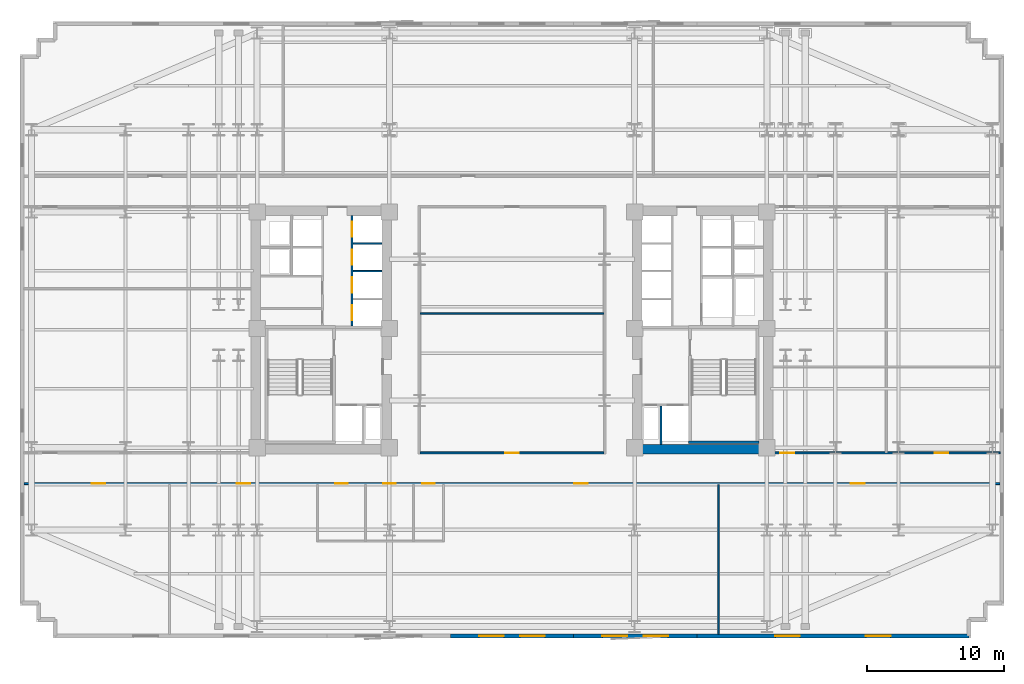
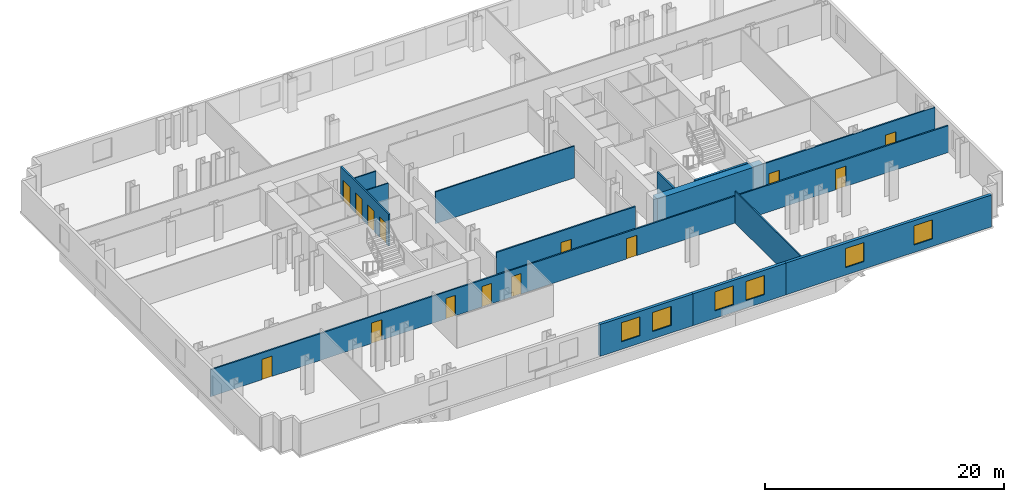
# One storey, part 5 of 10: 14 doors, 14 walls, 6 windows, 20 openings.
"""IFC4 building model written with IfcOpenShell, lengths in metres."""

from ifc_helpers import new_model, si_unit, direction, frame, frame_2d, origin, place, context, subcontext, project, spatial, rectangle, extrude, material, layer, layer_set, type_object, element, fill, save


model = new_model("IFC4")

# Units and contexts
model_context = context("Model", 3, precision=1e-05, world=origin(), true_north=direction((0.0, 1.0)))
body_context = subcontext(model_context, "Body", "Model", "MODEL_VIEW")
ifc_project = project(units=[si_unit("LENGTHUNIT", "METRE"), si_unit("AREAUNIT", "SQUARE_METRE"), si_unit("VOLUMEUNIT", "CUBIC_METRE"), si_unit("PLANEANGLEUNIT", "RADIAN"), si_unit("MASSUNIT", "GRAM", prefix="KILO")], contexts=[model_context])

# Site, building, storey
site_placement = place(None, origin())
site = spatial("IfcSite", under=ifc_project, at=site_placement, CompositionType="ELEMENT")
building_placement = place(site_placement, origin())
building = spatial("IfcBuilding", under=site, at=building_placement, Name="Velakula Bourse", CompositionType="ELEMENT")
storey_placement = place(building_placement, frame((0.0, 0.0, 31.199951171875)))
storey = spatial("IfcBuildingStorey", under=building, at=storey_placement, Name="L07", CompositionType="ELEMENT", Elevation=31.199951171875)

# Walls
ifc_material_1 = material(Name="Concrete M50 (fck 50 MPa)", Category="concrete")
ifc_layer_1 = layer(ifc_material_1, 0.2099609375, Name="Concrete M50 (fck 50 MPa)", Category="concrete")
ifc_layer_set_1 = layer_set([ifc_layer_1], Name="Concrete M50 (fck 50 MPa)")
wall_type_1 = type_object("IfcWallType", Name="WL-CORE-210", PredefinedType="SHEAR", material=ifc_layer_set_1)
wall_1_placement = place(storey_placement, frame((12.889892578125, -8.205078125, 0.0), z_axis=(0.0, 0.0, 1.0), x_axis=(1.0, 0.0, 0.0)))
element("IfcWall", 1, at=wall_1_placement, inside=storey, type_object=wall_type_1, Name="L07 Core E Stairwell Shear Wall S", PredefinedType="SHEAR", context=body_context, shape_type="SweptSolid", body=[
    extrude(rectangle(XDim=5.14013671875, YDim=0.2099609375, at=frame_2d((2.570068359375, 0.0))), origin(), (0.0, 0.0, 1.0), 3.27001953125),
])
ifc_material_2 = material(Name="Concrete M70 (fck 70 MPa)", Category="concrete")
ifc_layer_2 = layer(ifc_material_2, 0.699951171875, Name="Concrete M70 (fck 70 MPa)", Category="concrete")
ifc_layer_set_2 = layer_set([ifc_layer_2], Name="Concrete M70 (fck 70 MPa)")
wall_type_2 = type_object("IfcWallType", Name="WL-CORE-700", PredefinedType="SHEAR", material=ifc_layer_set_2)
wall_2_placement = place(storey_placement, frame((8.800048828125, -8.699951171875, 0.0), z_axis=(0.0, 0.0, 1.0), x_axis=(1.0, 0.0, 0.0)))
element("IfcWall", 2, at=wall_2_placement, inside=storey, type_object=wall_type_2, Name="L07 Core E Shear Wall S", PredefinedType="SHEAR", context=body_context, shape_type="SweptSolid", body=[
    extrude(rectangle(XDim=10.25, YDim=0.699951171875, at=frame_2d((5.125, 0.0))), origin(), (0.0, 0.0, 1.0), 3.27001953125),
])

# Wall, openings, windows
ifc_material_3 = material(Name="Red kilned clay facing brick masonry", Category="masonry")
ifc_layer_3 = layer(ifc_material_3, 0.280029296875, Name="Red kilned clay facing brick masonry", Category="masonry")
ifc_layer_set_3 = layer_set([ifc_layer_3], Name="Red kilned clay facing brick masonry")
wall_type_3 = type_object("IfcWallType", Name="WL-EXT-BRK-280", PredefinedType="STANDARD", material=ifc_layer_set_3)
wall_3_placement = place(storey_placement, frame((4.5, -22.340087890625, 0.0), z_axis=(0.0, 0.0, 1.0), x_axis=(-1.0, 0.0, 0.0)))
wall_3 = element("IfcWall", 3, at=wall_3_placement, inside=storey, type_object=wall_type_3, Name="L07 S Brick Spandrel Wall B3", PredefinedType="STANDARD", context=body_context, shape_type="SweptSolid", body=[
    extrude(rectangle(XDim=9.0, YDim=0.280029296875, at=frame_2d((4.5, 0.0))), origin(), (0.0, 0.0, 1.0), 3.25),
])
opening_1_placement = place(wall_3_placement, frame((2.10009765625, 0.0, 0.760009765625)))
opening_1 = element("IfcOpeningElement", 4, at=opening_1_placement, cuts=wall_3, Name="Opening W-01", PredefinedType="OPENING", context=body_context, shape_type="SweptSolid", body=[
    extrude(rectangle(XDim=1.800048828125, YDim=1.949951171875, at=frame_2d((0.89990234375, 0.97509765625))), frame((0.0, 0.14990234375, 0.0), z_axis=(0.0, -1.0, 0.0), x_axis=(1.0, 0.0, 0.0)), (0.0, 0.0, 1.0), 0.300048828125),
])
opening_2_placement = place(wall_3_placement, frame((5.10009765625, 0.0, 0.760009765625)))
opening_2 = element("IfcOpeningElement", 5, at=opening_2_placement, cuts=wall_3, Name="Opening W-01", PredefinedType="OPENING", context=body_context, shape_type="SweptSolid", body=[
    extrude(rectangle(XDim=1.800048828125, YDim=1.949951171875, at=frame_2d((0.89990234375, 0.97509765625))), frame((0.0, 0.14990234375, 0.0), z_axis=(0.0, -1.0, 0.0), x_axis=(1.0, 0.0, 0.0)), (0.0, 0.0, 1.0), 0.300048828125),
])
ifc_material_4 = material(Name="Double-glazed solar-control Low-E glass", Category="glass")
window_type = type_object("IfcWindowType", Name="WIN-TWR-1800x2100", PartitioningType="SINGLE_PANEL", PredefinedType="WINDOW", material=ifc_material_4)
window_1_placement = place(opening_1_placement, origin())
window_1 = element("IfcWindow", 6, at=window_1_placement, inside=storey, type_object=window_type, Name="L07 Deep-Set Recessed Window 1", OverallHeight=1.949951171875, OverallWidth=1.800048828125, PartitioningType="SINGLE_PANEL", PredefinedType="WINDOW", context=body_context, shape_type="SweptSolid", body=[
    extrude(rectangle(XDim=1.800048828125, YDim=1.949951171875, at=frame_2d((0.89990234375, 0.97509765625))), frame((0.0, 0.030029296875, 0.0), z_axis=(0.0, -1.0, 0.0), x_axis=(1.0, 0.0, 0.0)), (0.0, 0.0, 1.0), 0.06005859375),
])
fill(opening_1, window_1)
window_2_placement = place(opening_2_placement, origin())
window_2 = element("IfcWindow", 7, at=window_2_placement, inside=storey, type_object=window_type, Name="L07 Deep-Set Recessed Window 2", OverallHeight=1.949951171875, OverallWidth=1.800048828125, PartitioningType="SINGLE_PANEL", PredefinedType="WINDOW", context=body_context, shape_type="SweptSolid", body=[
    extrude(rectangle(XDim=1.800048828125, YDim=1.949951171875, at=frame_2d((0.89990234375, 0.97509765625))), frame((0.0, 0.030029296875, 0.0), z_axis=(0.0, -1.0, 0.0), x_axis=(1.0, 0.0, 0.0)), (0.0, 0.0, 1.0), 0.06005859375),
])
fill(opening_2, window_2)

wall_4_placement = place(storey_placement, frame((13.5, -22.340087890625, 0.0), z_axis=(0.0, 0.0, 1.0), x_axis=(-1.0, 0.0, 0.0)))
wall_4 = element("IfcWall", 8, at=wall_4_placement, inside=storey, type_object=wall_type_3, Name="L07 S Brick Spandrel Wall B4", PredefinedType="STANDARD", context=body_context, shape_type="SweptSolid", body=[
    extrude(rectangle(XDim=9.0, YDim=0.280029296875, at=frame_2d((4.5, 0.0))), origin(), (0.0, 0.0, 1.0), 3.25),
])
opening_3_placement = place(wall_4_placement, frame((2.10009765625, 0.0, 0.760009765625)))
opening_3 = element("IfcOpeningElement", 9, at=opening_3_placement, cuts=wall_4, Name="Opening W-01", PredefinedType="OPENING", context=body_context, shape_type="SweptSolid", body=[
    extrude(rectangle(XDim=1.800048828125, YDim=1.949951171875, at=frame_2d((0.89990234375, 0.97509765625))), frame((0.0, 0.14990234375, 0.0), z_axis=(0.0, -1.0, 0.0), x_axis=(1.0, 0.0, 0.0)), (0.0, 0.0, 1.0), 0.300048828125),
])
opening_4_placement = place(wall_4_placement, frame((5.10009765625, 0.0, 0.760009765625)))
opening_4 = element("IfcOpeningElement", 10, at=opening_4_placement, cuts=wall_4, Name="Opening W-01", PredefinedType="OPENING", context=body_context, shape_type="SweptSolid", body=[
    extrude(rectangle(XDim=1.800048828125, YDim=1.949951171875, at=frame_2d((0.89990234375, 0.97509765625))), frame((0.0, 0.14990234375, 0.0), z_axis=(0.0, -1.0, 0.0), x_axis=(1.0, 0.0, 0.0)), (0.0, 0.0, 1.0), 0.300048828125),
])
window_3_placement = place(opening_3_placement, origin())
window_3 = element("IfcWindow", 11, at=window_3_placement, inside=storey, type_object=window_type, Name="L07 Deep-Set Recessed Window 1", OverallHeight=1.949951171875, OverallWidth=1.800048828125, PartitioningType="SINGLE_PANEL", PredefinedType="WINDOW", context=body_context, shape_type="SweptSolid", body=[
    extrude(rectangle(XDim=1.800048828125, YDim=1.949951171875, at=frame_2d((0.89990234375, 0.97509765625))), frame((0.0, 0.030029296875, 0.0), z_axis=(0.0, -1.0, 0.0), x_axis=(1.0, 0.0, 0.0)), (0.0, 0.0, 1.0), 0.06005859375),
])
fill(opening_3, window_3)
window_4_placement = place(opening_4_placement, origin())
window_4 = element("IfcWindow", 12, at=window_4_placement, inside=storey, type_object=window_type, Name="L07 Deep-Set Recessed Window 2", OverallHeight=1.949951171875, OverallWidth=1.800048828125, PartitioningType="SINGLE_PANEL", PredefinedType="WINDOW", context=body_context, shape_type="SweptSolid", body=[
    extrude(rectangle(XDim=1.800048828125, YDim=1.949951171875, at=frame_2d((0.89990234375, 0.97509765625))), frame((0.0, 0.030029296875, 0.0), z_axis=(0.0, -1.0, 0.0), x_axis=(1.0, 0.0, 0.0)), (0.0, 0.0, 1.0), 0.06005859375),
])
fill(opening_4, window_4)

wall_5_placement = place(storey_placement, frame((33.340087890625, -22.340087890625, 0.0), z_axis=(0.0, 0.0, 1.0), x_axis=(-1.0, 0.0, 0.0)))
wall_5 = element("IfcWall", 13, at=wall_5_placement, inside=storey, type_object=wall_type_3, Name="L07 S Brick Spandrel Wall B5", PredefinedType="STANDARD", context=body_context, shape_type="SweptSolid", body=[
    extrude(rectangle(XDim=19.840087890625, YDim=0.280029296875, at=frame_2d((9.919921875, 0.0))), origin(), (0.0, 0.0, 1.0), 3.25),
])
opening_5_placement = place(wall_5_placement, frame((5.71337890625, 0.0, 0.760009765625)))
opening_5 = element("IfcOpeningElement", 14, at=opening_5_placement, cuts=wall_5, Name="Opening W-01", PredefinedType="OPENING", context=body_context, shape_type="SweptSolid", body=[
    extrude(rectangle(XDim=1.800048828125, YDim=1.949951171875, at=frame_2d((0.89990234375, 0.97509765625))), frame((0.0, 0.14990234375, 0.0), z_axis=(0.0, -1.0, 0.0), x_axis=(1.0, 0.0, 0.0)), (0.0, 0.0, 1.0), 0.300048828125),
])
opening_6_placement = place(wall_5_placement, frame((12.32666015625, 0.0, 0.760009765625)))
opening_6 = element("IfcOpeningElement", 15, at=opening_6_placement, cuts=wall_5, Name="Opening W-01", PredefinedType="OPENING", context=body_context, shape_type="SweptSolid", body=[
    extrude(rectangle(XDim=1.800048828125, YDim=1.949951171875, at=frame_2d((0.89990234375, 0.97509765625))), frame((0.0, 0.14990234375, 0.0), z_axis=(0.0, -1.0, 0.0), x_axis=(1.0, 0.0, 0.0)), (0.0, 0.0, 1.0), 0.300048828125),
])
window_5_placement = place(opening_5_placement, origin())
window_5 = element("IfcWindow", 16, at=window_5_placement, inside=storey, type_object=window_type, Name="L07 Deep-Set Recessed Window 1", OverallHeight=1.949951171875, OverallWidth=1.800048828125, PartitioningType="SINGLE_PANEL", PredefinedType="WINDOW", context=body_context, shape_type="SweptSolid", body=[
    extrude(rectangle(XDim=1.800048828125, YDim=1.949951171875, at=frame_2d((0.89990234375, 0.97509765625))), frame((0.0, 0.030029296875, 0.0), z_axis=(0.0, -1.0, 0.0), x_axis=(1.0, 0.0, 0.0)), (0.0, 0.0, 1.0), 0.06005859375),
])
fill(opening_5, window_5)
window_6_placement = place(opening_6_placement, origin())
window_6 = element("IfcWindow", 17, at=window_6_placement, inside=storey, type_object=window_type, Name="L07 Deep-Set Recessed Window 2", OverallHeight=1.949951171875, OverallWidth=1.800048828125, PartitioningType="SINGLE_PANEL", PredefinedType="WINDOW", context=body_context, shape_type="SweptSolid", body=[
    extrude(rectangle(XDim=1.800048828125, YDim=1.949951171875, at=frame_2d((0.89990234375, 0.97509765625))), frame((0.0, 0.030029296875, 0.0), z_axis=(0.0, -1.0, 0.0), x_axis=(1.0, 0.0, 0.0)), (0.0, 0.0, 1.0), 0.06005859375),
])
fill(opening_6, window_6)

# Walls
ifc_material_5 = material(Name="Fire-rated double-layer gypsum drywall partition", Category="gypsum")
ifc_layer_4 = layer(ifc_material_5, 0.1201171875, Name="Fire-rated double-layer gypsum drywall partition", Category="gypsum")
ifc_layer_set_4 = layer_set([ifc_layer_4], Name="Fire-rated double-layer gypsum drywall partition")
wall_type_4 = type_object("IfcWallType", Name="WL-PART-120", PredefinedType="STANDARD", material=ifc_layer_set_4)
for number, where, z_axis, x_axis, name in (
    (18, (-11.60009765625, 4.284912109375, 0.0), (0.0, 0.0, 1.0), (1.0, 0.0, 0.0), "L07 Interior Partition WL-CRW-L07-BDIV-1"),
    (19, (-11.60009765625, 6.31494140625, 0.0), (0.0, 0.0, 1.0), (1.0, 0.0, 0.0), "L07 Interior Partition WL-CRW-L07-BDIV-2"),
):
    element("IfcWall", number, at=place(storey_placement, frame(where, z_axis=z_axis, x_axis=x_axis)), inside=storey, type_object=wall_type_4, Name=name, PredefinedType="STANDARD", context=body_context, shape_type="SweptSolid", body=[
        extrude(rectangle(XDim=2.10009765625, YDim=0.110107421875, at=frame_2d((1.050048828125, 0.0))), origin(), (0.0, 0.0, 1.0), 3.25),
    ])
wall_6_placement = place(storey_placement, frame((15.076904296875, -22.219970703125, 0.0), z_axis=(0.0, 0.0, 1.0), x_axis=(0.0, 1.0, 0.0)))
element("IfcWall", 20, at=wall_6_placement, inside=storey, type_object=wall_type_4, Name="L07 Interior Partition WL-INT-L07-SR-D6", PredefinedType="STANDARD", context=body_context, shape_type="SweptSolid", body=[
    extrude(rectangle(XDim=10.929931640625, YDim=0.1201171875, at=frame_2d((5.46484375, 0.0))), origin(), (0.0, 0.0, 1.0), 3.25),
])

# Wall, openings, doors
ifc_layer_5 = layer(ifc_material_5, 0.139892578125, Name="Fire-rated double-layer gypsum drywall partition", Category="gypsum")
ifc_layer_set_5 = layer_set([ifc_layer_5], Name="Fire-rated double-layer gypsum drywall partition")
wall_type_5 = type_object("IfcWallType", Name="WL-PART-140", PredefinedType="STANDARD", material=ifc_layer_set_5)
wall_7_placement = place(storey_placement, frame((-35.6201171875, -11.219970703125, 0.0), z_axis=(0.0, 0.0, 1.0), x_axis=(1.0, 0.0, 0.0)))
wall_7 = element("IfcWall", 21, at=wall_7_placement, inside=storey, type_object=wall_type_5, Name="L07 Interior Partition WL-INT-L07-S-CORR", PredefinedType="STANDARD", context=body_context, shape_type="SweptSolid", body=[
    extrude(rectangle(XDim=71.240234375, YDim=0.139892578125, at=frame_2d((35.6201171875, 0.0))), origin(), (0.0, 0.0, 1.0), 2.7451171875),
])
opening_7_placement = place(wall_7_placement, frame((22.7099609375, 0.0, 0.0)))
opening_7 = element("IfcOpeningElement", 22, at=opening_7_placement, cuts=wall_7, Name="Opening D-WT1", PredefinedType="OPENING", context=body_context, shape_type="SweptSolid", body=[
    extrude(rectangle(XDim=0.919921875, YDim=2.080078125, at=frame_2d((0.4599609375, 1.0400390625))), frame((0.0, 0.079833984375, 0.0), z_axis=(0.0, -1.0, 0.0), x_axis=(1.0, 0.0, 0.0)), (0.0, 0.0, 1.0), 0.159912109375),
])
opening_8_placement = place(wall_7_placement, frame((26.2099609375, 0.0, 0.0)))
opening_8 = element("IfcOpeningElement", 23, at=opening_8_placement, cuts=wall_7, Name="Opening D-WT1", PredefinedType="OPENING", context=body_context, shape_type="SweptSolid", body=[
    extrude(rectangle(XDim=0.919921875, YDim=2.080078125, at=frame_2d((0.4599609375, 1.0400390625))), frame((0.0, 0.079833984375, 0.0), z_axis=(0.0, -1.0, 0.0), x_axis=(1.0, 0.0, 0.0)), (0.0, 0.0, 1.0), 0.159912109375),
])
opening_9_placement = place(wall_7_placement, frame((29.06005859375, 0.0, 0.0)))
opening_9 = element("IfcOpeningElement", 24, at=opening_9_placement, cuts=wall_7, Name="Opening D-WC1", PredefinedType="OPENING", context=body_context, shape_type="SweptSolid", body=[
    extrude(rectangle(XDim=0.919921875, YDim=2.080078125, at=frame_2d((0.4599609375, 1.0400390625))), frame((0.0, 0.079833984375, 0.0), z_axis=(0.0, -1.0, 0.0), x_axis=(1.0, 0.0, 0.0)), (0.0, 0.0, 1.0), 0.159912109375),
])
opening_10_placement = place(wall_7_placement, frame((4.9423828125, 0.0, 0.0)))
opening_10 = element("IfcOpeningElement", 25, at=opening_10_placement, cuts=wall_7, Name="Opening D-OF1", PredefinedType="OPENING", context=body_context, shape_type="SweptSolid", body=[
    extrude(rectangle(XDim=1.0, YDim=2.080078125, at=frame_2d((0.5, 1.0400390625))), frame((0.0, 0.079833984375, 0.0), z_axis=(0.0, -1.0, 0.0), x_axis=(1.0, 0.0, 0.0)), (0.0, 0.0, 1.0), 0.159912109375),
])
opening_11_placement = place(wall_7_placement, frame((15.526611328125, 0.0, 0.0)))
opening_11 = element("IfcOpeningElement", 26, at=opening_11_placement, cuts=wall_7, Name="Opening D-OF1", PredefinedType="OPENING", context=body_context, shape_type="SweptSolid", body=[
    extrude(rectangle(XDim=1.0, YDim=2.080078125, at=frame_2d((0.5, 1.0400390625))), frame((0.0, 0.079833984375, 0.0), z_axis=(0.0, -1.0, 0.0), x_axis=(1.0, 0.0, 0.0)), (0.0, 0.0, 1.0), 0.159912109375),
])
opening_12_placement = place(wall_7_placement, frame((40.158447265625, 0.0, 0.0)))
opening_12 = element("IfcOpeningElement", 27, at=opening_12_placement, cuts=wall_7, Name="Opening D-OF1", PredefinedType="OPENING", context=body_context, shape_type="SweptSolid", body=[
    extrude(rectangle(XDim=1.0, YDim=2.080078125, at=frame_2d((0.5, 1.0400390625))), frame((0.0, 0.079833984375, 0.0), z_axis=(0.0, -1.0, 0.0), x_axis=(1.0, 0.0, 0.0)), (0.0, 0.0, 1.0), 0.159912109375),
])
opening_13_placement = place(wall_7_placement, frame((60.342529296875, 0.0, 0.0)))
opening_13 = element("IfcOpeningElement", 28, at=opening_13_placement, cuts=wall_7, Name="Opening D-OF1", PredefinedType="OPENING", context=body_context, shape_type="SweptSolid", body=[
    extrude(rectangle(XDim=1.0, YDim=2.080078125, at=frame_2d((0.5, 1.0400390625))), frame((0.0, 0.079833984375, 0.0), z_axis=(0.0, -1.0, 0.0), x_axis=(1.0, 0.0, 0.0)), (0.0, 0.0, 1.0), 0.159912109375),
])
ifc_material_6 = material(Name="Fire-rated hardwood flush architectural door", Category="wood")
door_type_1 = type_object("IfcDoorType", Name="DR-OFF-1000", OperationType="NOTDEFINED", PredefinedType="DOOR", material=ifc_material_6)
door_1_placement = place(opening_10_placement, origin())
door_1 = element("IfcDoor", 29, at=door_1_placement, inside=storey, type_object=door_type_1, Name="L07 Quiet Financial Library Door", OperationType="SINGLE_SWING_LEFT", OverallHeight=2.080078125, OverallWidth=1.0, PredefinedType="DOOR", context=body_context, shape_type="SweptSolid", body=[
    extrude(rectangle(XDim=1.0, YDim=2.080078125, at=frame_2d((0.5, 1.0400390625))), frame((0.0, 0.02490234375, 0.0), z_axis=(0.0, -1.0, 0.0), x_axis=(1.0, 0.0, 0.0)), (0.0, 0.0, 1.0), 0.050048828125),
])
fill(opening_10, door_1)
door_2_placement = place(opening_11_placement, origin())
door_2 = element("IfcDoor", 30, at=door_2_placement, inside=storey, type_object=door_type_1, Name="L07 Margin Control Office Door", OperationType="SINGLE_SWING_RIGHT", OverallHeight=2.080078125, OverallWidth=1.0, PredefinedType="DOOR", context=body_context, shape_type="SweptSolid", body=[
    extrude(rectangle(XDim=1.0, YDim=2.080078125, at=frame_2d((0.5, 1.0400390625))), frame((0.0, 0.02490234375, 0.0), z_axis=(0.0, -1.0, 0.0), x_axis=(1.0, 0.0, 0.0)), (0.0, 0.0, 1.0), 0.050048828125),
])
fill(opening_11, door_2)
door_3_placement = place(opening_12_placement, origin())
door_3 = element("IfcDoor", 31, at=door_3_placement, inside=storey, type_object=door_type_1, Name="L07 Risk Review Boardroom Door", OperationType="SINGLE_SWING_LEFT", OverallHeight=2.080078125, OverallWidth=1.0, PredefinedType="DOOR", context=body_context, shape_type="SweptSolid", body=[
    extrude(rectangle(XDim=1.0, YDim=2.080078125, at=frame_2d((0.5, 1.0400390625))), frame((0.0, 0.02490234375, 0.0), z_axis=(0.0, -1.0, 0.0), x_axis=(1.0, 0.0, 0.0)), (0.0, 0.0, 1.0), 0.050048828125),
])
fill(opening_12, door_3)
door_4_placement = place(opening_13_placement, origin())
door_4 = element("IfcDoor", 32, at=door_4_placement, inside=storey, type_object=door_type_1, Name="L07 Catering Servery Pantry Door", OperationType="SINGLE_SWING_RIGHT", OverallHeight=2.080078125, OverallWidth=1.0, PredefinedType="DOOR", context=body_context, shape_type="SweptSolid", body=[
    extrude(rectangle(XDim=1.0, YDim=2.080078125, at=frame_2d((0.5, 1.0400390625))), frame((0.0, 0.02490234375, 0.0), z_axis=(0.0, -1.0, 0.0), x_axis=(1.0, 0.0, 0.0)), (0.0, 0.0, 1.0), 0.050048828125),
])
fill(opening_13, door_4)
door_type_2 = type_object("IfcDoorType", Name="DR-WC-950", OperationType="NOTDEFINED", PredefinedType="DOOR", material=ifc_material_6)
door_5_placement = place(opening_7_placement, origin())
door_5 = element("IfcDoor", 33, at=door_5_placement, inside=storey, type_object=door_type_2, Name="L07 Male Staff Toilet Door", OperationType="SINGLE_SWING_RIGHT", OverallHeight=2.080078125, OverallWidth=0.919921875, PredefinedType="DOOR", context=body_context, shape_type="SweptSolid", body=[
    extrude(rectangle(XDim=0.919921875, YDim=2.080078125, at=frame_2d((0.4599609375, 1.0400390625))), frame((0.0, 0.02490234375, 0.0), z_axis=(0.0, -1.0, 0.0), x_axis=(1.0, 0.0, 0.0)), (0.0, 0.0, 1.0), 0.050048828125),
])
fill(opening_7, door_5)
door_6_placement = place(opening_8_placement, origin())
door_6 = element("IfcDoor", 34, at=door_6_placement, inside=storey, type_object=door_type_2, Name="L07 Female Staff Toilet Door", OperationType="SINGLE_SWING_LEFT", OverallHeight=2.080078125, OverallWidth=0.919921875, PredefinedType="DOOR", context=body_context, shape_type="SweptSolid", body=[
    extrude(rectangle(XDim=0.919921875, YDim=2.080078125, at=frame_2d((0.4599609375, 1.0400390625))), frame((0.0, 0.02490234375, 0.0), z_axis=(0.0, -1.0, 0.0), x_axis=(1.0, 0.0, 0.0)), (0.0, 0.0, 1.0), 0.050048828125),
])
fill(opening_8, door_6)
door_7_placement = place(opening_9_placement, origin())
door_7 = element("IfcDoor", 35, at=door_7_placement, inside=storey, type_object=door_type_2, Name="L07 Accessible WC Door", OperationType="SINGLE_SWING_RIGHT", OverallHeight=2.080078125, OverallWidth=0.919921875, PredefinedType="DOOR", context=body_context, shape_type="SweptSolid", body=[
    extrude(rectangle(XDim=0.919921875, YDim=2.080078125, at=frame_2d((0.4599609375, 1.0400390625))), frame((0.0, 0.02490234375, 0.0), z_axis=(0.0, -1.0, 0.0), x_axis=(1.0, 0.0, 0.0)), (0.0, 0.0, 1.0), 0.050048828125),
])
fill(opening_9, door_7)

wall_8_placement = place(storey_placement, frame((19.050048828125, -8.97998046875, 0.0), z_axis=(0.0, 0.0, 1.0), x_axis=(1.0, 0.0, 0.0)))
wall_8 = element("IfcWall", 36, at=wall_8_placement, inside=storey, type_object=wall_type_5, Name="L07 Interior Partition WL-INT-L07-E-SC", PredefinedType="STANDARD", context=body_context, shape_type="SweptSolid", body=[
    extrude(rectangle(XDim=16.570068359375, YDim=0.139892578125, at=frame_2d((8.28515625, 0.0))), origin(), (0.0, 0.0, 1.0), 3.25),
])
opening_14_placement = place(wall_8_placement, frame((0.534912109375, 0.0, 0.0)))
opening_14 = element("IfcOpeningElement", 37, at=opening_14_placement, cuts=wall_8, Name="Opening D-OF1", PredefinedType="OPENING", context=body_context, shape_type="SweptSolid", body=[
    extrude(rectangle(XDim=1.0, YDim=2.080078125, at=frame_2d((0.5, 1.0400390625))), frame((0.0, 0.079833984375, 0.0), z_axis=(0.0, -1.0, 0.0), x_axis=(1.0, 0.0, 0.0)), (0.0, 0.0, 1.0), 0.159912109375),
])
opening_15_placement = place(wall_8_placement, frame((11.782470703125, 0.0, 0.0)))
opening_15 = element("IfcOpeningElement", 38, at=opening_15_placement, cuts=wall_8, Name="Opening D-OF1", PredefinedType="OPENING", context=body_context, shape_type="SweptSolid", body=[
    extrude(rectangle(XDim=1.0, YDim=2.080078125, at=frame_2d((0.5, 1.0400390625))), frame((0.0, 0.079833984375, 0.0), z_axis=(0.0, -1.0, 0.0), x_axis=(1.0, 0.0, 0.0)), (0.0, 0.0, 1.0), 0.159912109375),
])
door_8_placement = place(opening_14_placement, origin())
door_8 = element("IfcDoor", 39, at=door_8_placement, inside=storey, type_object=door_type_1, Name="L07 Legal Counsel Office Door", OperationType="SINGLE_SWING_LEFT", OverallHeight=2.080078125, OverallWidth=1.0, PredefinedType="DOOR", context=body_context, shape_type="SweptSolid", body=[
    extrude(rectangle(XDim=1.0, YDim=2.080078125, at=frame_2d((0.5, 1.0400390625))), frame((0.0, 0.02490234375, 0.0), z_axis=(0.0, -1.0, 0.0), x_axis=(1.0, 0.0, 0.0)), (0.0, 0.0, 1.0), 0.050048828125),
])
fill(opening_14, door_8)
door_9_placement = place(opening_15_placement, origin())
door_9 = element("IfcDoor", 40, at=door_9_placement, inside=storey, type_object=door_type_1, Name="L07 Listing Committee Chamber Door", OperationType="SINGLE_SWING_RIGHT", OverallHeight=2.080078125, OverallWidth=1.0, PredefinedType="DOOR", context=body_context, shape_type="SweptSolid", body=[
    extrude(rectangle(XDim=1.0, YDim=2.080078125, at=frame_2d((0.5, 1.0400390625))), frame((0.0, 0.02490234375, 0.0), z_axis=(0.0, -1.0, 0.0), x_axis=(1.0, 0.0, 0.0)), (0.0, 0.0, 1.0), 0.050048828125),
])
fill(opening_15, door_9)

# Wall, opening, door
wall_9_placement = place(storey_placement, frame((-6.7099609375, -8.97998046875, 0.0), z_axis=(0.0, 0.0, 1.0), x_axis=(1.0, 0.0, 0.0)))
wall_9 = element("IfcWall", 41, at=wall_9_placement, inside=storey, type_object=wall_type_5, Name="L07 Interior Partition WL-INT-L07-MID-S", PredefinedType="STANDARD", context=body_context, shape_type="SweptSolid", body=[
    extrude(rectangle(XDim=13.419921875, YDim=0.139892578125, at=frame_2d((6.7099609375, 0.0))), origin(), (0.0, 0.0, 1.0), 3.25),
])
opening_16_placement = place(wall_9_placement, frame((6.2099609375, 0.0, 0.0)))
opening_16 = element("IfcOpeningElement", 42, at=opening_16_placement, cuts=wall_9, Name="Opening D-OF1", PredefinedType="OPENING", context=body_context, shape_type="SweptSolid", body=[
    extrude(rectangle(XDim=1.0, YDim=2.080078125, at=frame_2d((0.5, 1.0400390625))), frame((0.0, 0.079833984375, 0.0), z_axis=(0.0, -1.0, 0.0), x_axis=(1.0, 0.0, 0.0)), (0.0, 0.0, 1.0), 0.159912109375),
])
door_10_placement = place(opening_16_placement, origin())
door_10 = element("IfcDoor", 43, at=door_10_placement, inside=storey, type_object=door_type_1, Name="L07 Central Dealing Chamber South Door", OperationType="SINGLE_SWING_LEFT", OverallHeight=2.080078125, OverallWidth=1.0, PredefinedType="DOOR", context=body_context, shape_type="SweptSolid", body=[
    extrude(rectangle(XDim=1.0, YDim=2.080078125, at=frame_2d((0.5, 1.0400390625))), frame((0.0, 0.02490234375, 0.0), z_axis=(0.0, -1.0, 0.0), x_axis=(1.0, 0.0, 0.0)), (0.0, 0.0, 1.0), 0.050048828125),
])
fill(opening_16, door_10)

# Wall
wall_10_placement = place(storey_placement, frame((-6.7099609375, 1.199951171875, 0.0), z_axis=(0.0, 0.0, 1.0), x_axis=(1.0, 0.0, 0.0)))
element("IfcWall", 44, at=wall_10_placement, inside=storey, type_object=wall_type_5, Name="L07 Interior Partition WL-INT-L07-MDY", PredefinedType="STANDARD", context=body_context, shape_type="SweptSolid", body=[
    extrude(rectangle(XDim=13.419921875, YDim=0.1201171875, at=frame_2d((6.7099609375, 0.0))), origin(), (0.0, 0.0, 1.0), 3.25),
])

# Wall, openings, doors
ifc_material_7 = material(Name="Autoclaved aerated concrete blockwork masonry", Category="masonry")
ifc_layer_6 = layer(ifc_material_7, 0.14990234375, Name="Autoclaved aerated concrete blockwork masonry", Category="masonry")
ifc_layer_set_6 = layer_set([ifc_layer_6], Name="Autoclaved aerated concrete blockwork masonry")
wall_type_6 = type_object("IfcWallType", Name="WL-SHAFT-150", PredefinedType="STANDARD", material=ifc_layer_set_6)
wall_11_placement = place(storey_placement, frame((-11.675048828125, 0.27001953125, 0.0), z_axis=(0.0, 0.0, 1.0), x_axis=(0.0, 1.0, 0.0)))
wall_11 = element("IfcWall", 45, at=wall_11_placement, inside=storey, type_object=wall_type_6, Name="L07 Interior Partition WL-CRW-L07-BANK-F", PredefinedType="STANDARD", context=body_context, shape_type="SweptSolid", body=[
    extrude(rectangle(XDim=8.080078125, YDim=0.14990234375, at=frame_2d((4.0400390625, 0.0))), origin(), (0.0, 0.0, 1.0), 3.25),
])
opening_17_placement = place(wall_11_placement, frame((0.419921875, 0.0, 0.0)))
opening_17 = element("IfcOpeningElement", 46, at=opening_17_placement, cuts=wall_11, Name="Opening LD-P1", PredefinedType="OPENING", context=body_context, shape_type="SweptSolid", body=[
    extrude(rectangle(XDim=1.10009765625, YDim=2.10009765625, at=frame_2d((0.550048828125, 1.050048828125))), frame((0.0, 0.0849609375, 0.0), z_axis=(0.0, -1.0, 0.0), x_axis=(1.0, 0.0, 0.0)), (0.0, 0.0, 1.0), 0.169921875),
])
opening_18_placement = place(wall_11_placement, frame((2.449951171875, 0.0, 0.0)))
opening_18 = element("IfcOpeningElement", 47, at=opening_18_placement, cuts=wall_11, Name="Opening LD-P2", PredefinedType="OPENING", context=body_context, shape_type="SweptSolid", body=[
    extrude(rectangle(XDim=1.10009765625, YDim=2.10009765625, at=frame_2d((0.550048828125, 1.050048828125))), frame((0.0, 0.0849609375, 0.0), z_axis=(0.0, -1.0, 0.0), x_axis=(1.0, 0.0, 0.0)), (0.0, 0.0, 1.0), 0.169921875),
])
opening_19_placement = place(wall_11_placement, frame((4.47998046875, 0.0, 0.0)))
opening_19 = element("IfcOpeningElement", 48, at=opening_19_placement, cuts=wall_11, Name="Opening LD-P3", PredefinedType="OPENING", context=body_context, shape_type="SweptSolid", body=[
    extrude(rectangle(XDim=1.10009765625, YDim=2.10009765625, at=frame_2d((0.550048828125, 1.050048828125))), frame((0.0, 0.0849609375, 0.0), z_axis=(0.0, -1.0, 0.0), x_axis=(1.0, 0.0, 0.0)), (0.0, 0.0, 1.0), 0.169921875),
])
opening_20_placement = place(wall_11_placement, frame((6.510009765625, 0.0, 0.0)))
opening_20 = element("IfcOpeningElement", 49, at=opening_20_placement, cuts=wall_11, Name="Opening LD-P4", PredefinedType="OPENING", context=body_context, shape_type="SweptSolid", body=[
    extrude(rectangle(XDim=1.10009765625, YDim=2.10009765625, at=frame_2d((0.550048828125, 1.050048828125))), frame((0.0, 0.0849609375, 0.0), z_axis=(0.0, -1.0, 0.0), x_axis=(1.0, 0.0, 0.0)), (0.0, 0.0, 1.0), 0.169921875),
])
ifc_material_8 = material(Name="Brushed grade 316 stainless steel", Category="steel")
door_type_3 = type_object("IfcDoorType", Name="DR-SLIDE-LD-1100", OperationType="DOUBLE_DOOR_SLIDING", PredefinedType="DOOR", material=ifc_material_8)
door_11_placement = place(opening_17_placement, origin())
door_11 = element("IfcDoor", 50, at=door_11_placement, inside=storey, type_object=door_type_3, Name="L07 Passenger Lift P1 Sliding Landing Door", OperationType="DOUBLE_DOOR_SLIDING", OverallHeight=2.10009765625, OverallWidth=1.10009765625, PredefinedType="DOOR", context=body_context, shape_type="SweptSolid", body=[
    extrude(rectangle(XDim=1.10009765625, YDim=2.10009765625, at=frame_2d((0.550048828125, 1.050048828125))), frame((0.0, 0.02490234375, 0.0), z_axis=(0.0, -1.0, 0.0), x_axis=(1.0, 0.0, 0.0)), (0.0, 0.0, 1.0), 0.050048828125),
])
fill(opening_17, door_11)
door_12_placement = place(opening_18_placement, origin())
door_12 = element("IfcDoor", 51, at=door_12_placement, inside=storey, type_object=door_type_3, Name="L07 Passenger Lift P2 Sliding Landing Door", OperationType="DOUBLE_DOOR_SLIDING", OverallHeight=2.10009765625, OverallWidth=1.10009765625, PredefinedType="DOOR", context=body_context, shape_type="SweptSolid", body=[
    extrude(rectangle(XDim=1.10009765625, YDim=2.10009765625, at=frame_2d((0.550048828125, 1.050048828125))), frame((0.0, 0.02490234375, 0.0), z_axis=(0.0, -1.0, 0.0), x_axis=(1.0, 0.0, 0.0)), (0.0, 0.0, 1.0), 0.050048828125),
])
fill(opening_18, door_12)
door_13_placement = place(opening_19_placement, origin())
door_13 = element("IfcDoor", 52, at=door_13_placement, inside=storey, type_object=door_type_3, Name="L07 Passenger Lift P3 Sliding Landing Door", OperationType="DOUBLE_DOOR_SLIDING", OverallHeight=2.10009765625, OverallWidth=1.10009765625, PredefinedType="DOOR", context=body_context, shape_type="SweptSolid", body=[
    extrude(rectangle(XDim=1.10009765625, YDim=2.10009765625, at=frame_2d((0.550048828125, 1.050048828125))), frame((0.0, 0.02490234375, 0.0), z_axis=(0.0, -1.0, 0.0), x_axis=(1.0, 0.0, 0.0)), (0.0, 0.0, 1.0), 0.050048828125),
])
fill(opening_19, door_13)
door_14_placement = place(opening_20_placement, origin())
door_14 = element("IfcDoor", 53, at=door_14_placement, inside=storey, type_object=door_type_3, Name="L07 Passenger Lift P4 Sliding Landing Door", OperationType="DOUBLE_DOOR_SLIDING", OverallHeight=2.10009765625, OverallWidth=1.10009765625, PredefinedType="DOOR", context=body_context, shape_type="SweptSolid", body=[
    extrude(rectangle(XDim=1.10009765625, YDim=2.10009765625, at=frame_2d((0.550048828125, 1.050048828125))), frame((0.0, 0.02490234375, 0.0), z_axis=(0.0, -1.0, 0.0), x_axis=(1.0, 0.0, 0.0)), (0.0, 0.0, 1.0), 0.050048828125),
])
fill(opening_20, door_14)

# Wall
wall_12_placement = place(storey_placement, frame((10.875, -8.35009765625, 0.0), z_axis=(0.0, 0.0, 1.0), x_axis=(0.0, 1.0, 0.0)))
element("IfcWall", 54, at=wall_12_placement, inside=storey, type_object=wall_type_6, Name="L07 Interior Partition WL-CRE-L07-FR-DIV", PredefinedType="STANDARD", context=body_context, shape_type="SweptSolid", body=[
    extrude(rectangle(XDim=2.800048828125, YDim=0.14990234375, at=frame_2d((1.39990234375, 0.0))), origin(), (0.0, 0.0, 1.0), 3.25),
])

save(model, "model.ifc")
